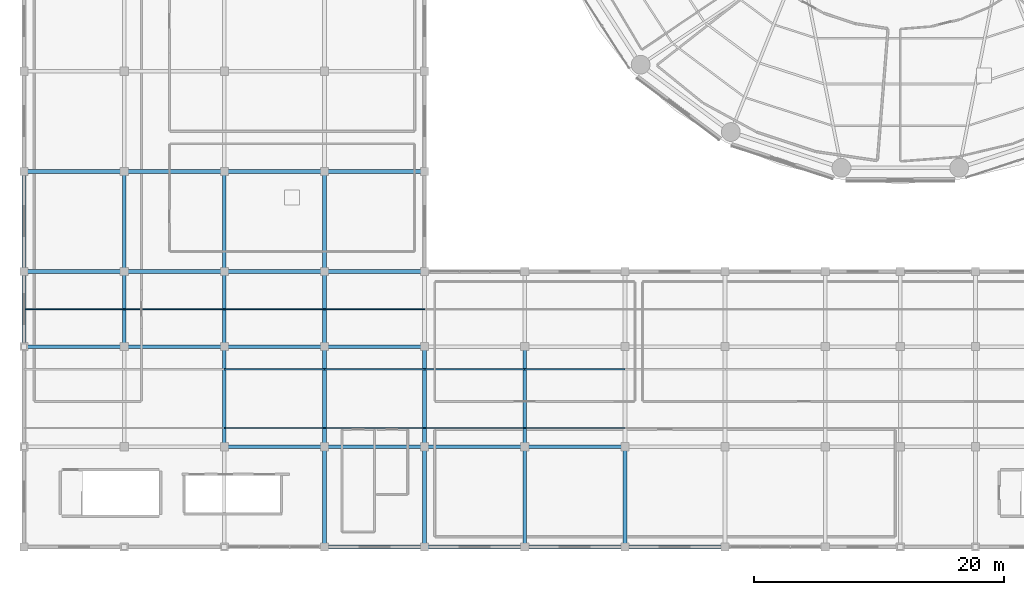
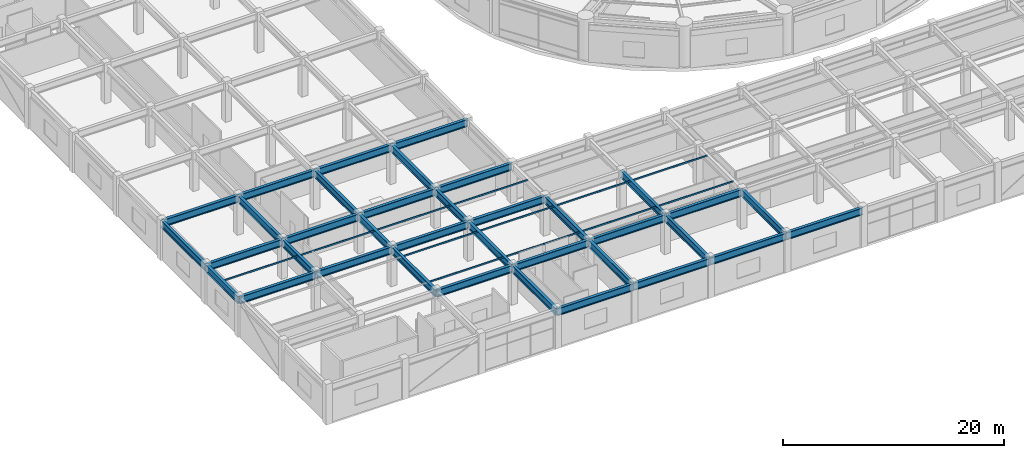
# One storey, part 3 of 46: 36 beams, 12 members.
"""IFC4 building model written with IfcOpenShell, lengths in metres."""

from ifc_helpers import new_model, si_unit, direction, frame, origin, origin_2d, place, context, subcontext, project, spatial, hollow_rectangle, i_section, extrude, material, material_profile, profile_set, type_object, element, save


model = new_model("IFC4")

# Units and contexts
model_context = context("Model", 3, precision=1e-05, world=origin(), true_north=direction((0.0, 1.0)))
body_context = subcontext(model_context, "Body", "Model", "MODEL_VIEW")
ifc_project = project(units=[si_unit("LENGTHUNIT", "METRE"), si_unit("AREAUNIT", "SQUARE_METRE"), si_unit("VOLUMEUNIT", "CUBIC_METRE"), si_unit("PLANEANGLEUNIT", "RADIAN"), si_unit("MASSUNIT", "GRAM", prefix="KILO")], contexts=[model_context])

# Site, building, storey
site_placement = place(None, origin())
site = spatial("IfcSite", under=ifc_project, at=site_placement, CompositionType="ELEMENT")
building_placement = place(site_placement, origin())
building = spatial("IfcBuilding", under=site, at=building_placement, Name="Kelanora Arch Commons", CompositionType="ELEMENT")
storey_placement = place(building_placement, frame((0.0, 0.0, 18.0)))
storey = spatial("IfcBuildingStorey", under=building, at=storey_placement, Name="L04", CompositionType="ELEMENT", Elevation=18.0)

# Beams
ifc_material = material(Name="Steel S355", Category="steel")
ifc_material_profile_1 = material_profile(ifc_material, i_section(OverallWidth=0.300048828125, OverallDepth=0.800048828125, WebThickness=0.017578125, FlangeThickness=0.032958984375, FilletRadius=0.030029296875, at=origin_2d()), Name="HEB800")
ifc_profile_set_1 = profile_set([ifc_material_profile_1], Name="Steel S355")
beam_type = type_object("IfcBeamType", Name="BM-MKT-ROOF", PredefinedType="USERDEFINED", material=ifc_profile_set_1)
beam_1_placement = place(storey_placement, frame((4.0, 20.0, 3.860107421875), z_axis=(1.0, 0.0, 0.0), x_axis=(0.0, 1.0, 0.0)))
element("IfcBeam", 1, at=beam_1_placement, inside=storey, type_object=beam_type, Name="Market/Basement Frame Beam 005 L04", ObjectType="TRANSFER_GIRDER", PredefinedType="USERDEFINED", context=body_context, shape_type="SweptSolid", body=[
    extrude(i_section(OverallWidth=0.300048828125, OverallDepth=0.800048828125, WebThickness=0.017578125, FlangeThickness=0.032958984375, FilletRadius=0.030029296875, at=origin_2d()), origin(), (0.0, 0.0, 1.0), 8.0),
])
beam_2_placement = place(storey_placement, frame((4.0, 20.0, 3.860107421875), z_axis=(0.0, 1.0, 0.0), x_axis=(-1.0, 0.0, 0.0)))
element("IfcBeam", 2, at=beam_2_placement, inside=storey, type_object=beam_type, Name="Market/Basement Frame Beam 006 L04", ObjectType="TRANSFER_GIRDER", PredefinedType="USERDEFINED", context=body_context, shape_type="SweptSolid", body=[
    extrude(i_section(OverallWidth=0.300048828125, OverallDepth=0.800048828125, WebThickness=0.017578125, FlangeThickness=0.032958984375, FilletRadius=0.030029296875, at=origin_2d()), origin(), (0.0, 0.0, 1.0), 6.0),
])
for number, where, z_axis, x_axis, name in (
    (3, (4.0, 26.0, 3.860107421875), (1.0, 0.0, 0.0), (0.0, 1.0, 0.0), "Market/Basement Frame Beam 007 L04"),
    (4, (4.0, 26.0, 3.860107421875), (0.0, 1.0, 0.0), (-1.0, 0.0, 0.0), "Market/Basement Frame Beam 008 L04"),
    (5, (4.0, 34.0, 3.860107421875), (1.0, 0.0, 0.0), (0.0, 1.0, 0.0), "Market/Basement Frame Beam 009 L04"),
    (6, (12.0, 20.0, 3.860107421875), (1.0, 0.0, 0.0), (0.0, 1.0, 0.0), "Market/Basement Frame Beam 024 L04"),
):
    element("IfcBeam", number, at=place(storey_placement, frame(where, z_axis=z_axis, x_axis=x_axis)), inside=storey, type_object=beam_type, Name=name, ObjectType="TRANSFER_GIRDER", PredefinedType="USERDEFINED", context=body_context, shape_type="SweptSolid", body=[
        extrude(i_section(OverallWidth=0.300048828125, OverallDepth=0.800048828125, WebThickness=0.017578125, FlangeThickness=0.032958984375, FilletRadius=0.030029296875, at=origin_2d()), origin(), (0.0, 0.0, 1.0), 8.0),
    ])
beam_3_placement = place(storey_placement, frame((12.0, 20.0, 3.860107421875), z_axis=(0.0, 1.0, 0.0), x_axis=(-1.0, 0.0, 0.0)))
element("IfcBeam", 7, at=beam_3_placement, inside=storey, type_object=beam_type, Name="Market/Basement Frame Beam 025 L04", ObjectType="TRANSFER_GIRDER", PredefinedType="USERDEFINED", context=body_context, shape_type="SweptSolid", body=[
    extrude(i_section(OverallWidth=0.300048828125, OverallDepth=0.800048828125, WebThickness=0.017578125, FlangeThickness=0.032958984375, FilletRadius=0.030029296875, at=origin_2d()), origin(), (0.0, 0.0, 1.0), 6.0),
])
for number, where, z_axis, x_axis, name in (
    (8, (12.0, 26.0, 3.860107421875), (1.0, 0.0, 0.0), (0.0, 1.0, 0.0), "Market/Basement Frame Beam 026 L04"),
    (9, (12.0, 26.0, 3.860107421875), (0.0, 1.0, 0.0), (-1.0, 0.0, 0.0), "Market/Basement Frame Beam 027 L04"),
    (10, (12.0, 34.0, 3.860107421875), (1.0, 0.0, 0.0), (0.0, 1.0, 0.0), "Market/Basement Frame Beam 028 L04"),
    (11, (20.0, 12.0, 3.860107421875), (1.0, 0.0, 0.0), (0.0, 1.0, 0.0), "Market/Basement Frame Beam 040 L04"),
    (12, (20.0, 12.0, 3.860107421875), (0.0, 1.0, 0.0), (-1.0, 0.0, 0.0), "Market/Basement Frame Beam 041 L04"),
    (13, (20.0, 20.0, 3.860107421875), (1.0, 0.0, 0.0), (0.0, 1.0, 0.0), "Market/Basement Frame Beam 042 L04"),
):
    element("IfcBeam", number, at=place(storey_placement, frame(where, z_axis=z_axis, x_axis=x_axis)), inside=storey, type_object=beam_type, Name=name, ObjectType="TRANSFER_GIRDER", PredefinedType="USERDEFINED", context=body_context, shape_type="SweptSolid", body=[
        extrude(i_section(OverallWidth=0.300048828125, OverallDepth=0.800048828125, WebThickness=0.017578125, FlangeThickness=0.032958984375, FilletRadius=0.030029296875, at=origin_2d()), origin(), (0.0, 0.0, 1.0), 8.0),
    ])
beam_4_placement = place(storey_placement, frame((20.0, 20.0, 3.860107421875), z_axis=(0.0, 1.0, 0.0), x_axis=(-1.0, 0.0, 0.0)))
element("IfcBeam", 14, at=beam_4_placement, inside=storey, type_object=beam_type, Name="Market/Basement Frame Beam 043 L04", ObjectType="TRANSFER_GIRDER", PredefinedType="USERDEFINED", context=body_context, shape_type="SweptSolid", body=[
    extrude(i_section(OverallWidth=0.300048828125, OverallDepth=0.800048828125, WebThickness=0.017578125, FlangeThickness=0.032958984375, FilletRadius=0.030029296875, at=origin_2d()), origin(), (0.0, 0.0, 1.0), 6.0),
])
for number, where, z_axis, x_axis, name in (
    (15, (20.0, 26.0, 3.860107421875), (1.0, 0.0, 0.0), (0.0, 1.0, 0.0), "Market/Basement Frame Beam 044 L04"),
    (16, (20.0, 26.0, 3.860107421875), (0.0, 1.0, 0.0), (-1.0, 0.0, 0.0), "Market/Basement Frame Beam 045 L04"),
    (17, (20.0, 34.0, 3.860107421875), (1.0, 0.0, 0.0), (0.0, 1.0, 0.0), "Market/Basement Frame Beam 046 L04"),
    (18, (28.0, 4.0, 3.860107421875), (1.0, 0.0, 0.0), (0.0, 1.0, 0.0), "Market/Basement Frame Beam 059 L04"),
    (19, (28.0, 4.0, 3.860107421875), (0.0, 1.0, 0.0), (-1.0, 0.0, 0.0), "Market/Basement Frame Beam 060 L04"),
    (20, (28.0, 12.0, 3.860107421875), (1.0, 0.0, 0.0), (0.0, 1.0, 0.0), "Market/Basement Frame Beam 061 L04"),
    (21, (28.0, 12.0, 3.860107421875), (0.0, 1.0, 0.0), (-1.0, 0.0, 0.0), "Market/Basement Frame Beam 062 L04"),
    (22, (28.0, 20.0, 3.860107421875), (1.0, 0.0, 0.0), (0.0, 1.0, 0.0), "Market/Basement Frame Beam 063 L04"),
):
    element("IfcBeam", number, at=place(storey_placement, frame(where, z_axis=z_axis, x_axis=x_axis)), inside=storey, type_object=beam_type, Name=name, ObjectType="TRANSFER_GIRDER", PredefinedType="USERDEFINED", context=body_context, shape_type="SweptSolid", body=[
        extrude(i_section(OverallWidth=0.300048828125, OverallDepth=0.800048828125, WebThickness=0.017578125, FlangeThickness=0.032958984375, FilletRadius=0.030029296875, at=origin_2d()), origin(), (0.0, 0.0, 1.0), 8.0),
    ])
beam_5_placement = place(storey_placement, frame((28.0, 20.0, 3.860107421875), z_axis=(0.0, 1.0, 0.0), x_axis=(-1.0, 0.0, 0.0)))
element("IfcBeam", 23, at=beam_5_placement, inside=storey, type_object=beam_type, Name="Market/Basement Frame Beam 064 L04", ObjectType="TRANSFER_GIRDER", PredefinedType="USERDEFINED", context=body_context, shape_type="SweptSolid", body=[
    extrude(i_section(OverallWidth=0.300048828125, OverallDepth=0.800048828125, WebThickness=0.017578125, FlangeThickness=0.032958984375, FilletRadius=0.030029296875, at=origin_2d()), origin(), (0.0, 0.0, 1.0), 6.0),
])
for number, where, z_axis, x_axis, name in (
    (24, (28.0, 26.0, 3.860107421875), (1.0, 0.0, 0.0), (0.0, 1.0, 0.0), "Market/Basement Frame Beam 065 L04"),
    (25, (28.0, 26.0, 3.860107421875), (0.0, 1.0, 0.0), (-1.0, 0.0, 0.0), "Market/Basement Frame Beam 066 L04"),
    (26, (28.0, 34.0, 3.860107421875), (1.0, 0.0, 0.0), (0.0, 1.0, 0.0), "Market/Basement Frame Beam 067 L04"),
    (27, (36.0, 4.0, 3.860107421875), (1.0, 0.0, 0.0), (0.0, 1.0, 0.0), "Market/Basement Frame Beam 080 L04"),
    (28, (36.0, 4.0, 3.860107421875), (0.0, 1.0, 0.0), (-1.0, 0.0, 0.0), "Market/Basement Frame Beam 081 L04"),
    (29, (36.0, 12.0, 3.860107421875), (1.0, 0.0, 0.0), (0.0, 1.0, 0.0), "Market/Basement Frame Beam 082 L04"),
    (30, (36.0, 12.0, 3.860107421875), (0.0, 1.0, 0.0), (-1.0, 0.0, 0.0), "Market/Basement Frame Beam 083 L04"),
    (31, (44.0, 4.0, 3.860107421875), (1.0, 0.0, 0.0), (0.0, 1.0, 0.0), "Market/Basement Frame Beam 094 L04"),
    (32, (44.0, 4.0, 3.860107421875), (0.0, 1.0, 0.0), (-1.0, 0.0, 0.0), "Market/Basement Frame Beam 095 L04"),
    (33, (44.0, 12.0, 3.860107421875), (1.0, 0.0, 0.0), (0.0, 1.0, 0.0), "Market/Basement Frame Beam 096 L04"),
    (34, (44.0, 12.0, 3.860107421875), (0.0, 1.0, 0.0), (-1.0, 0.0, 0.0), "Market/Basement Frame Beam 097 L04"),
    (35, (52.0, 4.0, 3.860107421875), (1.0, 0.0, 0.0), (0.0, 1.0, 0.0), "Market/Basement Frame Beam 101 L04"),
    (36, (52.0, 4.0, 3.860107421875), (0.0, 1.0, 0.0), (-1.0, 0.0, 0.0), "Market/Basement Frame Beam 102 L04"),
):
    element("IfcBeam", number, at=place(storey_placement, frame(where, z_axis=z_axis, x_axis=x_axis)), inside=storey, type_object=beam_type, Name=name, ObjectType="TRANSFER_GIRDER", PredefinedType="USERDEFINED", context=body_context, shape_type="SweptSolid", body=[
        extrude(i_section(OverallWidth=0.300048828125, OverallDepth=0.800048828125, WebThickness=0.017578125, FlangeThickness=0.032958984375, FilletRadius=0.030029296875, at=origin_2d()), origin(), (0.0, 0.0, 1.0), 8.0),
    ])

# Members
ifc_material_profile_2 = material_profile(ifc_material, hollow_rectangle(XDim=0.070068359375, YDim=0.179931640625, WallThickness=0.0048828125, InnerFilletRadius=0.0048828125, OuterFilletRadius=0.010009765625, at=origin_2d()), Name="RHS180x70x5")
ifc_profile_set_2 = profile_set([ifc_material_profile_2], Name="Steel S355")
member_type = type_object("IfcMemberType", Name="MEM-MKT-PURLIN", PredefinedType="PURLIN", material=ifc_profile_set_2)
for number, where, z_axis, x_axis, name in (
    (37, (20.0, 13.5, 4.14990234375), (1.0, 0.0, 0.0), (0.0, 1.0, 0.0), "Market Hall Roof Purlin 03"),
    (38, (28.0, 13.5, 4.14990234375), (1.0, 0.0, 0.0), (0.0, 1.0, 0.0), "Market Hall Roof Purlin 04"),
    (39, (36.0, 13.5, 4.14990234375), (1.0, 0.0, 0.0), (0.0, 1.0, 0.0), "Market Hall Roof Purlin 05"),
    (40, (44.0, 13.5, 4.14990234375), (1.0, 0.0, 0.0), (0.0, 1.0, 0.0), "Market Hall Roof Purlin 06"),
    (41, (20.0, 18.199951171875, 4.14990234375), (1.0, 0.0, 0.0), (0.0, 1.0, 0.0), "Market Hall Roof Purlin 15"),
    (42, (28.0, 18.199951171875, 4.14990234375), (1.0, 0.0, 0.0), (0.0, 1.0, 0.0), "Market Hall Roof Purlin 16"),
    (43, (36.0, 18.199951171875, 4.14990234375), (1.0, 0.0, 0.0), (0.0, 1.0, 0.0), "Market Hall Roof Purlin 17"),
    (44, (44.0, 18.199951171875, 4.14990234375), (1.0, 0.0, 0.0), (0.0, 1.0, 0.0), "Market Hall Roof Purlin 18"),
    (45, (4.0, 23.0, 4.14990234375), (1.0, 0.0, 0.0), (0.0, 1.0, 0.0), "Market Hall Roof Purlin 25"),
    (46, (12.0, 23.0, 4.14990234375), (1.0, 0.0, 0.0), (0.0, 1.0, 0.0), "Market Hall Roof Purlin 26"),
    (47, (20.0, 23.0, 4.14990234375), (1.0, 0.0, 0.0), (0.0, 1.0, 0.0), "Market Hall Roof Purlin 27"),
    (48, (28.0, 23.0, 4.14990234375), (1.0, 0.0, 0.0), (0.0, 1.0, 0.0), "Market Hall Roof Purlin 28"),
):
    element("IfcMember", number, at=place(storey_placement, frame(where, z_axis=z_axis, x_axis=x_axis)), inside=storey, type_object=member_type, Name=name, PredefinedType="PURLIN", context=body_context, shape_type="SweptSolid", body=[
        extrude(hollow_rectangle(XDim=0.070068359375, YDim=0.179931640625, WallThickness=0.0048828125, InnerFilletRadius=0.0048828125, OuterFilletRadius=0.010009765625, at=origin_2d()), origin(), (0.0, 0.0, 1.0), 8.0),
    ])

save(model, "model.ifc")
